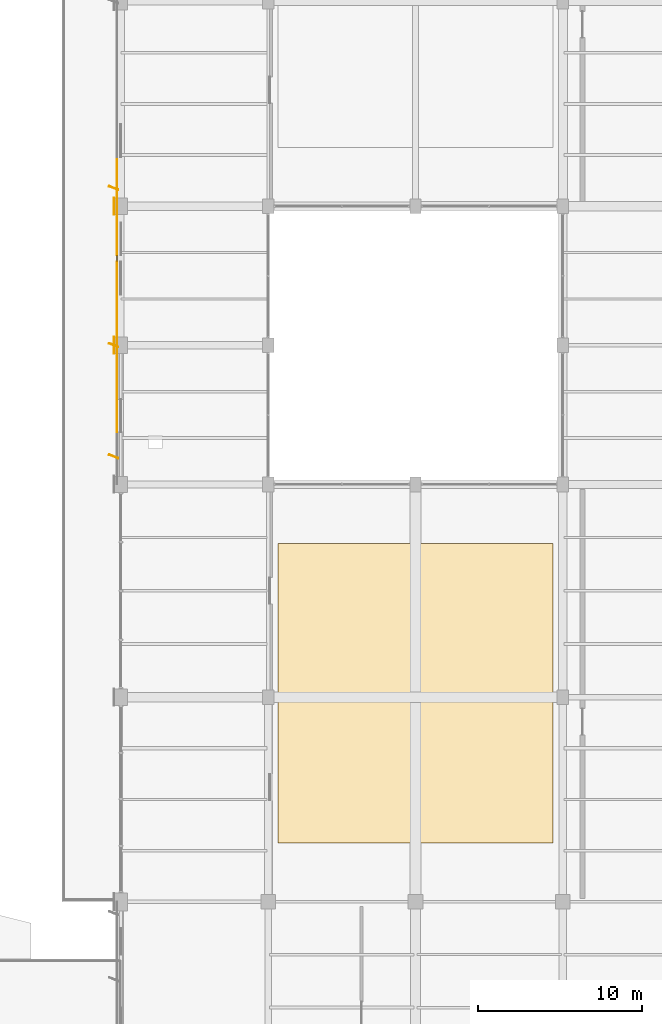
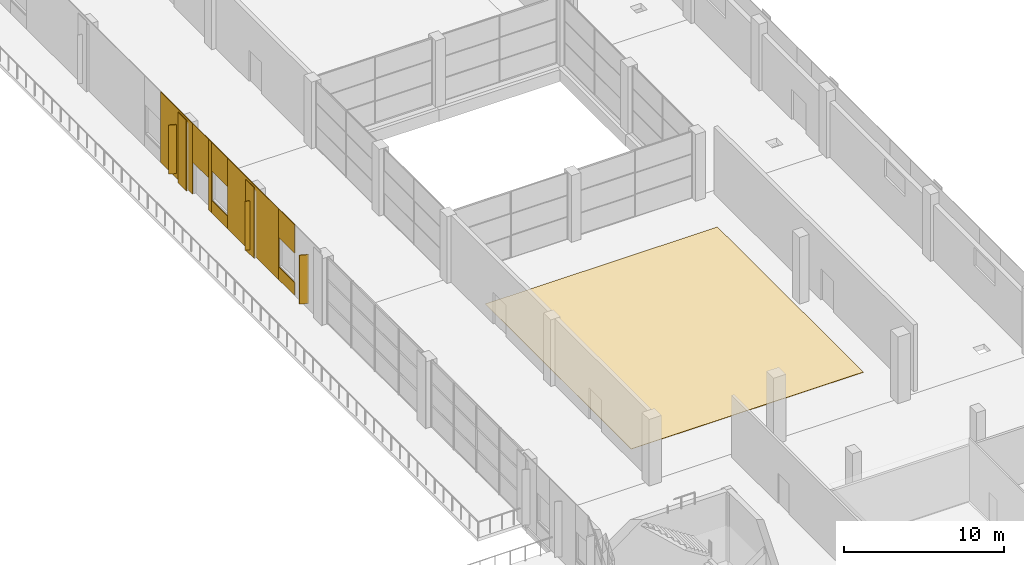
# One storey, part 87 of 90: 14 coverings.
"""IFC4 building model written with IfcOpenShell, lengths in metres."""

import ifcopenshell
import ifcopenshell.guid

model = None  # the IFC model being written
_history = None  # IfcOwnerHistory: only IFC2X3 demands one
_inside = {}  # id of a spatial element -> (the spatial element, [elements in it])
_under = {}  # id of a project, library or spatial element -> (it, [spatial elements below it])
_declared = {}  # id of a project -> (the project, [libraries it declares])
_typed = {}  # id of a type object -> (the type object, [elements of that type])
_made_of = {}  # id of a material, layer set ... -> (it, [elements and type objects made of it])


def new_model(schema):
    """Start an empty IFC model of exactly this schema.

    Asked for "IFC4X3", IfcOpenShell would pick the latest addendum, in which some entities
    have other attributes; the version numbers below select the first issue.
    IFC2X3 requires an IfcOwnerHistory on every rooted entity: one is made here for all.
    """
    global model, _history
    if schema == "IFC4X3":
        model = ifcopenshell.file(schema_version=(4, 3, 0, 0))
    else:
        model = ifcopenshell.file(schema=schema)
    _inside.clear()
    _under.clear()
    _declared.clear()
    _typed.clear()
    _made_of.clear()
    _history = None
    if model.schema == "IFC2X3":
        org = make("IfcOrganization", Name="unknown")
        user = make(
            "IfcPersonAndOrganization",
            ThePerson=make("IfcPerson", FamilyName="unknown"),
            TheOrganization=org,
        )
        app = make(
            "IfcApplication",
            ApplicationDeveloper=org,
            Version="unknown",
            ApplicationFullName="unknown",
            ApplicationIdentifier="unknown",
        )
        _history = make(
            "IfcOwnerHistory",
            OwningUser=user,
            OwningApplication=app,
            ChangeAction="ADDED",
            CreationDate=0,
        )
    return model


def make(cls, **values):
    """One entity of the class cls with the attributes given. An attribute that is None is left unset."""
    return model.create_entity(
        cls, **{name: value for name, value in values.items() if value is not None}
    )


def rooted(cls, **values):
    """An entity with a GlobalId (a new one), such as an element, a storey or a relation."""
    return make(cls, GlobalId=ifcopenshell.guid.new(), OwnerHistory=_history, **values)


def si_unit(unit_type, name, prefix=None):
    """IfcSIUnit, for example si_unit("LENGTHUNIT", "METRE", prefix="MILLI")."""
    return make("IfcSIUnit", UnitType=unit_type, Prefix=prefix, Name=name)


def assignment(units):
    """IfcUnitAssignment: the units of a project."""
    return None if units is None else make("IfcUnitAssignment", Units=units)


def point(xyz):
    """IfcCartesianPoint."""
    return None if xyz is None else make("IfcCartesianPoint", Coordinates=xyz)


def direction(xyz):
    """IfcDirection."""
    return None if xyz is None else make("IfcDirection", DirectionRatios=xyz)


def frame(location, z_axis=None, x_axis=None):
    """IfcAxis2Placement3D, a coordinate frame: its origin and axes. An axis left out is left unset."""
    return make(
        "IfcAxis2Placement3D",
        Location=point(location),
        Axis=direction(z_axis),
        RefDirection=direction(x_axis),
    )


def frame_2d(location, x_axis=None):
    """IfcAxis2Placement2D, a coordinate frame in the plane: its origin and x axis."""
    return make(
        "IfcAxis2Placement2D", Location=point(location), RefDirection=direction(x_axis)
    )


def origin():
    """The frame at (0, 0, 0) with its axes left unset."""
    return frame((0.0, 0.0, 0.0))


def origin_2d():
    """The frame at (0, 0) in the plane with its x axis left unset."""
    return frame_2d((0.0, 0.0))


def place(relative_to, where):
    """IfcLocalPlacement: puts the frame where relative to a parent placement (None: the world)."""
    return make(
        "IfcLocalPlacement", PlacementRelTo=relative_to, RelativePlacement=where
    )


def context(
    kind, dimensions, precision=None, world=None, true_north=None, identifier=None
):
    """IfcGeometricRepresentationContext, for example the 3D "Model" context."""
    return make(
        "IfcGeometricRepresentationContext",
        ContextIdentifier=identifier,
        ContextType=kind,
        CoordinateSpaceDimension=dimensions,
        Precision=precision,
        WorldCoordinateSystem=world,
        TrueNorth=true_north,
    )


def subcontext(parent, identifier, kind, view, scale=None):
    """IfcGeometricRepresentationSubContext, for example "Body" below "Model"."""
    return make(
        "IfcGeometricRepresentationSubContext",
        ContextIdentifier=identifier,
        ContextType=kind,
        ParentContext=parent,
        TargetScale=scale,
        TargetView=view,
    )


def project(units=None, contexts=None):
    """IfcProject with its units and contexts."""
    return rooted(
        "IfcProject",
        Name="project",
        RepresentationContexts=contexts,
        UnitsInContext=assignment(units),
    )


def spatial(cls, under=None, at=None, **own):
    """A site, building, storey or space (cls), placed at a placement, below another one or the project."""
    s = rooted(cls, ObjectPlacement=at, **own)
    if under is not None:
        _under.setdefault(under.id(), (under, []))[1].append(s)
    return s


def polyline(points):
    """IfcPolyline through the points."""
    return make("IfcPolyline", Points=[point(p) for p in points])


def profile(cls, at=None, kind="AREA", **sizes):
    """A parametric profile (cls). Its sizes go by their IFC names, for example OverallWidth=200.0."""
    return make(cls, ProfileType=kind, Position=at, **sizes)


def rectangle(**sizes):
    """IfcRectangleProfileDef."""
    return profile("IfcRectangleProfileDef", **sizes)


def outline(outer, holes=None, kind="AREA"):
    """IfcArbitraryClosedProfileDef: a profile drawn as a closed curve; with holes, ...WithVoids."""
    if holes is None:
        return make("IfcArbitraryClosedProfileDef", ProfileType=kind, OuterCurve=outer)
    return make(
        "IfcArbitraryProfileDefWithVoids",
        ProfileType=kind,
        OuterCurve=outer,
        InnerCurves=holes,
    )


def extrude(swept, where, along, depth):
    """IfcExtrudedAreaSolid: the profile swept, set in the frame where, extruded along a direction by depth."""
    return make(
        "IfcExtrudedAreaSolid",
        SweptArea=swept,
        Position=where,
        ExtrudedDirection=direction(along),
        Depth=depth,
    )


def shape(context_of_items, identifier, shape_type, items):
    """IfcShapeRepresentation: the items that make up one representation, for example the "Body"."""
    return make(
        "IfcShapeRepresentation",
        ContextOfItems=context_of_items,
        RepresentationIdentifier=identifier,
        RepresentationType=shape_type,
        Items=items,
    )


def material(Name=None, Category=None):
    """IfcMaterial."""
    return make("IfcMaterial", Name=Name, Category=Category)


def layer(
    of_material, thickness, ventilated=None, Name=None, Category=None, Priority=None
):
    """IfcMaterialLayer: one layer of a wall or slab, of a material (None: an air gap)."""
    return make(
        "IfcMaterialLayer",
        Material=of_material,
        LayerThickness=thickness,
        IsVentilated=ventilated,
        Name=Name,
        Category=Category,
        Priority=Priority,
    )


def layer_set(layers, Name=None):
    """IfcMaterialLayerSet."""
    return make("IfcMaterialLayerSet", MaterialLayers=layers, LayerSetName=Name)


def made_of(thing, what):
    """Note that an element or type object is made of a material, layer set ...; save() writes the relation."""
    if what is not None:
        _made_of.setdefault(what.id(), (what, []))[1].append(thing)
    return thing


def type_object(cls, material=None, **own):
    """A type object (cls), such as IfcWallType, which elements share."""
    return made_of(rooted(cls, **own), material)


def element(
    cls,
    number,
    at=None,
    inside=None,
    cuts=None,
    type_object=None,
    material=None,
    context=None,
    identifier="Body",
    shape_type=None,
    held_by="IfcProductDefinitionShape",
    body=None,
    shapes=None,
    **own,
):
    """One element of the class cls, such as IfcWall. Its Tag is "e" and its number.

    at: its placement. inside: the storey or other place that contains it. cuts: it is an
    opening in that element (IfcRelVoidsElement). A single representation is given by context,
    identifier, shape_type and body (its items); several are given by shapes. held_by: the class
    of the entity that holds the representations. save() writes the other relations.
    """
    e = rooted(cls, Tag="e%d" % number, ObjectPlacement=at, **own)
    if body is not None:
        shapes = [shape(context, identifier, shape_type, body)]
    if shapes is not None:
        e.Representation = make(held_by, Representations=shapes)
    if inside is not None:
        _inside.setdefault(inside.id(), (inside, []))[1].append(e)
    if cuts is not None:
        rooted(
            "IfcRelVoidsElement", RelatingBuildingElement=cuts, RelatedOpeningElement=e
        )
    if type_object is not None:
        _typed.setdefault(type_object.id(), (type_object, []))[1].append(e)
    return made_of(e, material)


def aggregate(whole, parts):
    """IfcRelAggregates: a whole, such as a stair, and the parts it consists of."""
    return rooted("IfcRelAggregates", RelatingObject=whole, RelatedObjects=parts)


def save(model, path):
    """Write the relations noted so far, then the file.

    IfcRelAggregates (storeys below a building ...), IfcRelContainedInSpatialStructure (elements
    in a storey), IfcRelDefinesByType, IfcRelAssociatesMaterial and IfcRelDeclares: one each for
    every whole, place, type object, material and project.
    """
    for whole, parts in _under.values():
        aggregate(whole, parts)
    for where, things in _inside.values():
        rooted(
            "IfcRelContainedInSpatialStructure",
            RelatedElements=things,
            RelatingStructure=where,
        )
    for kind, things in _typed.values():
        rooted("IfcRelDefinesByType", RelatedObjects=things, RelatingType=kind)
    for what, things in _made_of.values():
        rooted("IfcRelAssociatesMaterial", RelatedObjects=things, RelatingMaterial=what)
    for by, libraries in _declared.values():
        rooted("IfcRelDeclares", RelatingContext=by, RelatedDefinitions=libraries)
    model.write(path)


model = new_model("IFC4")

# Units and contexts
model_context = context("Model", 3, precision=1e-05, world=origin(), true_north=direction((0.0, 1.0)))
body_context = subcontext(model_context, "Body", "Model", "MODEL_VIEW")
ifc_project = project(units=[si_unit("LENGTHUNIT", "METRE"), si_unit("AREAUNIT", "SQUARE_METRE"), si_unit("VOLUMEUNIT", "CUBIC_METRE"), si_unit("PLANEANGLEUNIT", "RADIAN"), si_unit("MASSUNIT", "GRAM", prefix="KILO")], contexts=[model_context])

# Site, building, storey
site_placement = place(None, origin())
site = spatial("IfcSite", under=ifc_project, at=site_placement, CompositionType="ELEMENT")
building_placement = place(site_placement, origin())
building = spatial("IfcBuilding", under=site, at=building_placement, Name="Solvikara Media Centre", CompositionType="ELEMENT")
storey_placement = place(building_placement, origin())
storey = spatial("IfcBuildingStorey", under=building, at=storey_placement, Name="L00", CompositionType="ELEMENT", Elevation=0.0)

# Coverings
ifc_material_1 = material(Name="Polished terrazzo floor finish")
ifc_layer_1 = layer(ifc_material_1, 0.030029296875)
ifc_layer_set_1 = layer_set([ifc_layer_1], Name="Polished terrazzo floor finish")
covering_type_1 = type_object("IfcCoveringType", Name="CV-02", PredefinedType="FLOORING", material=ifc_layer_set_1)
covering_1_placement = place(storey_placement, origin())
element("IfcCovering", 1, at=covering_1_placement, inside=storey, type_object=covering_type_1, Name="FLR-014", PredefinedType="FLOORING", context=body_context, shape_type="SweptSolid", body=[
    extrude(outline(polyline([(137.10009765625, 50.10009765625), (153.89990234375, 50.10009765625), (153.89990234375, 68.39990234375), (137.10009765625, 68.39990234375), (137.10009765625, 50.10009765625)])), origin(), (0.0, 0.0, 1.0), 0.030029296875),
])
ifc_material_2 = material(Name="GFRC white mineral architectural rainscreen panel")
ifc_layer_2 = layer(ifc_material_2, 0.050048828125)
ifc_layer_set_2 = layer_set([ifc_layer_2], Name="GFRC white mineral architectural rainscreen panel")
covering_type_2 = type_object("IfcCoveringType", Name="CV-04", PredefinedType="CLADDING", material=ifc_layer_set_2)
for number, where, z_axis, x_axis, name in (
    (2, (127.074951171875, 80.5, 0.0), (0.0, 0.0, 1.0), (0.0, -1.0, 0.0), "PIL-L00-271"),
    (3, (127.074951171875, 89.0, 0.0), (0.0, 0.0, 1.0), (0.0, -1.0, 0.0), "PIL-L00-273"),
):
    element("IfcCovering", number, at=place(storey_placement, frame(where, z_axis=z_axis, x_axis=x_axis)), inside=storey, type_object=covering_type_2, Name=name, PredefinedType="CLADDING", context=body_context, shape_type="SweptSolid", body=[
        extrude(rectangle(XDim=1.0400390625, YDim=0.050048828125, at=origin_2d()), origin(), (0.0, 0.0, 1.0), 5.39990234375),
    ])
covering_2_placement = place(storey_placement, frame((127.050048828125, 73.7099609375, 0.35009765625), z_axis=(0.0, 0.0, 1.0), x_axis=(-0.930749810713, 0.3656566557, 0.0)))
element("IfcCovering", 4, at=covering_2_placement, inside=storey, type_object=covering_type_2, Name="L00-V2W-FIN-01", PredefinedType="CLADDING", context=body_context, shape_type="SweptSolid", body=[
    extrude(rectangle(XDim=0.60205078125, YDim=0.050048828125, at=origin_2d()), origin(), (0.0, 0.0, 1.0), 3.739990234375),
])
covering_3_placement = place(storey_placement, frame((127.2548828125, 76.199951171875, 0.0), z_axis=(0.0, 0.0, 1.0), x_axis=(0.0, 1.0, 0.0)))
element("IfcCovering", 5, at=covering_3_placement, inside=storey, type_object=covering_type_2, Name="L00-V2W-CV-S02", PredefinedType="CLADDING", context=body_context, shape_type="SweptSolid", body=[
    extrude(rectangle(XDim=2.0, YDim=0.050048828125, at=origin_2d()), origin(), (0.0, 0.0, 1.0), 0.969970703125),
])
covering_4_placement = place(storey_placement, frame((127.2548828125, 76.199951171875, 3.22998046875), z_axis=(0.0, 0.0, 1.0), x_axis=(0.0, 1.0, 0.0)))
element("IfcCovering", 6, at=covering_4_placement, inside=storey, type_object=covering_type_2, Name="L00-V2W-CV-H02", PredefinedType="CLADDING", context=body_context, shape_type="SweptSolid", body=[
    extrude(rectangle(XDim=2.0, YDim=0.050048828125, at=origin_2d()), origin(), (0.0, 0.0, 1.0), 2.169921875),
])
covering_5_placement = place(storey_placement, frame((127.2548828125, 80.39990234375, 0.0), z_axis=(0.0, 0.0, 1.0), x_axis=(0.0, 1.0, 0.0)))
element("IfcCovering", 7, at=covering_5_placement, inside=storey, type_object=covering_type_2, Name="L00-V2W-CV-F03", PredefinedType="CLADDING", context=body_context, shape_type="SweptSolid", body=[
    extrude(rectangle(XDim=6.39990234375, YDim=0.050048828125, at=origin_2d()), origin(), (0.0, 0.0, 1.0), 5.39990234375),
])
covering_6_placement = place(storey_placement, frame((127.050048828125, 80.510009765625, 0.35009765625), z_axis=(0.0, 0.0, 1.0), x_axis=(-0.930749810713, 0.3656566557, 0.0)))
element("IfcCovering", 8, at=covering_6_placement, inside=storey, type_object=covering_type_2, Name="L00-V2W-FIN-03", PredefinedType="CLADDING", context=body_context, shape_type="SweptSolid", body=[
    extrude(rectangle(XDim=0.60205078125, YDim=0.050048828125, at=origin_2d()), origin(), (0.0, 0.0, 1.0), 3.739990234375),
])
covering_7_placement = place(storey_placement, frame((127.2548828125, 84.60009765625, 0.0), z_axis=(0.0, 0.0, 1.0), x_axis=(0.0, 1.0, 0.0)))
element("IfcCovering", 9, at=covering_7_placement, inside=storey, type_object=covering_type_2, Name="L00-V2W-CV-S04", PredefinedType="CLADDING", context=body_context, shape_type="SweptSolid", body=[
    extrude(rectangle(XDim=2.0, YDim=0.050048828125, at=origin_2d()), origin(), (0.0, 0.0, 1.0), 0.969970703125),
])
covering_8_placement = place(storey_placement, frame((127.2548828125, 84.60009765625, 3.22998046875), z_axis=(0.0, 0.0, 1.0), x_axis=(0.0, 1.0, 0.0)))
element("IfcCovering", 10, at=covering_8_placement, inside=storey, type_object=covering_type_2, Name="L00-V2W-CV-H04", PredefinedType="CLADDING", context=body_context, shape_type="SweptSolid", body=[
    extrude(rectangle(XDim=2.0, YDim=0.050048828125, at=origin_2d()), origin(), (0.0, 0.0, 1.0), 2.169921875),
])
covering_9_placement = place(storey_placement, frame((127.2548828125, 85.800048828125, 0.0), z_axis=(0.0, 0.0, 1.0), x_axis=(0.0, 1.0, 0.0)))
element("IfcCovering", 11, at=covering_9_placement, inside=storey, type_object=covering_type_2, Name="L00-V2W-CV-F05", PredefinedType="CLADDING", context=body_context, shape_type="SweptSolid", body=[
    extrude(rectangle(XDim=0.39990234375, YDim=0.050048828125, at=origin_2d()), origin(), (0.0, 0.0, 1.0), 5.39990234375),
])
covering_10_placement = place(storey_placement, frame((127.2548828125, 87.0, 2.4501953125), z_axis=(0.0, 0.0, 1.0), x_axis=(0.0, 1.0, 0.0)))
element("IfcCovering", 12, at=covering_10_placement, inside=storey, type_object=covering_type_2, Name="L00-V2W-CV-D06", PredefinedType="CLADDING", context=body_context, shape_type="SweptSolid", body=[
    extrude(rectangle(XDim=2.0, YDim=0.050048828125, at=origin_2d()), origin(), (0.0, 0.0, 1.0), 2.949951171875),
])
covering_11_placement = place(storey_placement, frame((127.2548828125, 90.0, 0.0), z_axis=(0.0, 0.0, 1.0), x_axis=(0.0, 1.0, 0.0)))
element("IfcCovering", 13, at=covering_11_placement, inside=storey, type_object=covering_type_2, Name="L00-V2W-CV-F07", PredefinedType="CLADDING", context=body_context, shape_type="SweptSolid", body=[
    extrude(rectangle(XDim=4.0, YDim=0.050048828125, at=origin_2d()), origin(), (0.0, 0.0, 1.0), 5.39990234375),
])
covering_12_placement = place(storey_placement, frame((127.050048828125, 90.110107421875, 0.35009765625), z_axis=(0.0, 0.0, 1.0), x_axis=(-0.930749810713, 0.3656566557, 0.0)))
element("IfcCovering", 14, at=covering_12_placement, inside=storey, type_object=covering_type_2, Name="L00-V2W-FIN-07", PredefinedType="CLADDING", context=body_context, shape_type="SweptSolid", body=[
    extrude(rectangle(XDim=0.60205078125, YDim=0.050048828125, at=origin_2d()), origin(), (0.0, 0.0, 1.0), 3.739990234375),
])

save(model, "model.ifc")
